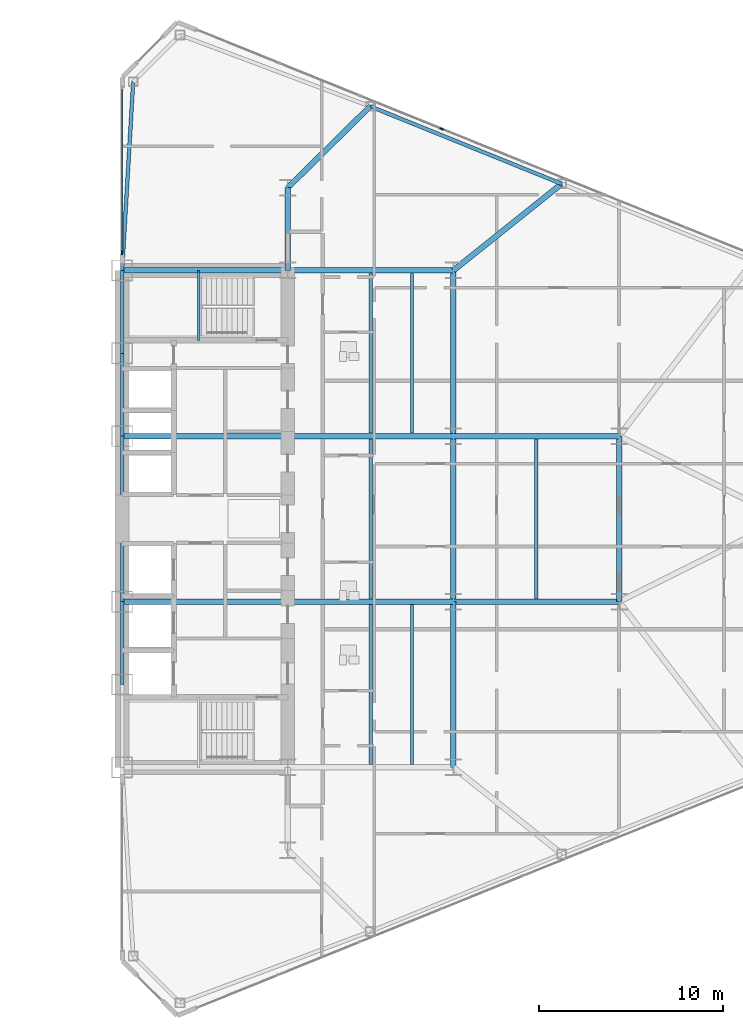
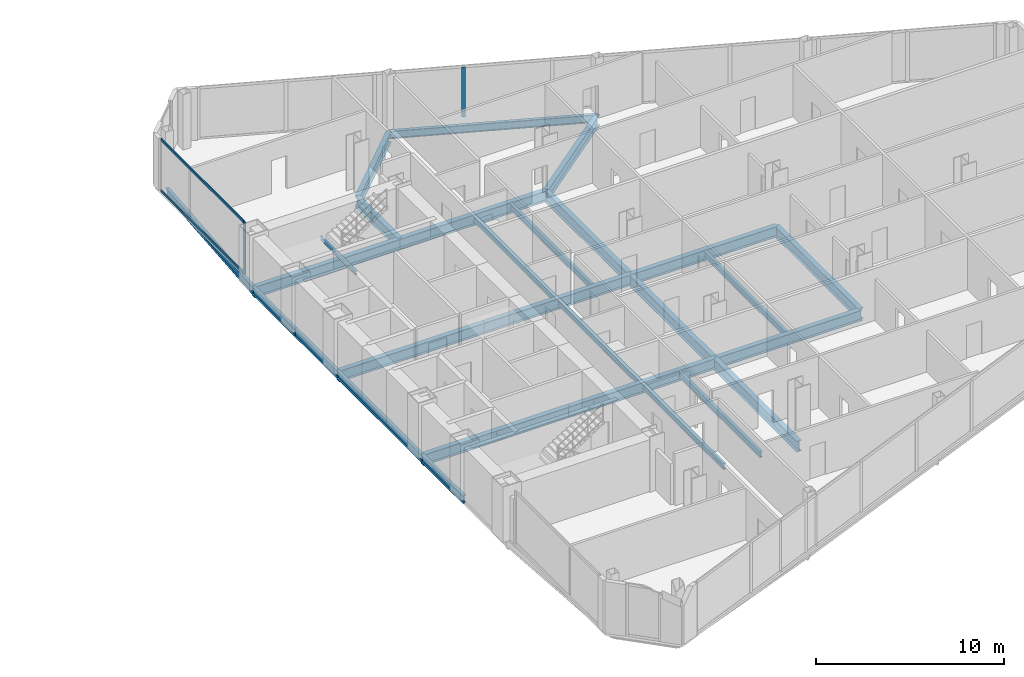
# One storey, part 11 of 25: 28 beams, 4 members, 2 elements without a shape of their own.
"""IFC4 building model written with IfcOpenShell, lengths in metres."""

from ifc_helpers import new_model, si_unit, direction, frame, origin, origin_2d, place, context, subcontext, project, spatial, rectangle, i_section, extrude, source, transform, mapped, material, layer, layer_set, material_profile, profile_set, type_object, type_shapes, element, aggregate, save


model = new_model("IFC4")

# Units and contexts
model_context = context("Model", 3, precision=1e-05, world=origin(), true_north=direction((0.0, 1.0)))
body_context = subcontext(model_context, "Body", "Model", "MODEL_VIEW")
ifc_project = project(units=[si_unit("LENGTHUNIT", "METRE"), si_unit("AREAUNIT", "SQUARE_METRE"), si_unit("VOLUMEUNIT", "CUBIC_METRE"), si_unit("PLANEANGLEUNIT", "RADIAN"), si_unit("MASSUNIT", "GRAM", prefix="KILO")], contexts=[model_context])

# Site, building, storey
site_placement = place(None, origin())
site = spatial("IfcSite", under=ifc_project, at=site_placement, CompositionType="ELEMENT")
building_placement = place(site_placement, origin())
building = spatial("IfcBuilding", under=site, at=building_placement, Name="Seokmaru Belvedere", CompositionType="ELEMENT")
storey_placement = place(building_placement, frame((0.0, 0.0, 29.699951171875)))
storey = spatial("IfcBuildingStorey", under=building, at=storey_placement, Name="L07", CompositionType="ELEMENT", Elevation=29.699951171875)

# Beams
ifc_material_1 = material(Name="Steel SM355 (355 MPa)", Category="steel")
ifc_material_profile_1 = material_profile(ifc_material_1, i_section(OverallWidth=0.199951171875, OverallDepth=0.5, WebThickness=0.010009765625, FlangeThickness=0.01611328125, at=origin_2d()), Name="H-500x200x10x16")
ifc_profile_set_1 = profile_set([ifc_material_profile_1], Name="Steel SM355 (355 MPa)")
beam_type_1 = type_object("IfcBeamType", Name="Perimeter Spandrel Beam H-500", PredefinedType="SPANDREL", material=ifc_profile_set_1)
shared_shape_1 = source(origin(), body_context, "Body", "SweptSolid", [
    extrude(i_section(OverallWidth=0.199951171875, OverallDepth=0.5, WebThickness=0.010009765625, FlangeThickness=0.01611328125, at=origin_2d()), origin(), (0.0, 0.0, 1.0), 4.5),
])
for number, where, z_axis, x_axis, name in (
    (1, (27.5, -9.0, -0.469970703125), (0.0, 1.0, 0.0), (-1.0, 0.0, 0.0), "L07 E Portal Spine Spandrel 2"),
    (2, (27.5, 4.5, -0.469970703125), (0.0, 1.0, 0.0), (-1.0, 0.0, 0.0), "L07 E Portal Spine Spandrel 4"),
    (3, (27.5, 9.0, -0.469970703125), (0.0, 1.0, 0.0), (-1.0, 0.0, 0.0), "L07 E Portal Spine Spandrel 5"),
):
    element("IfcBeam", number, at=place(storey_placement, frame(where, z_axis=z_axis, x_axis=x_axis)), inside=storey, type_object=beam_type_1, Name=name, PredefinedType="SPANDREL", context=body_context, shape_type="MappedRepresentation", body=[
        mapped(shared_shape_1, transform((0.0, 0.0, 0.0), scale=1.0)),
    ])
shared_shape_2 = source(origin(), body_context, "Body", "SweptSolid", [
    extrude(i_section(OverallWidth=0.199951171875, OverallDepth=0.5, WebThickness=0.010009765625, FlangeThickness=0.01611328125, at=origin_2d()), origin(), (0.0, 0.0, 1.0), 9.0),
])
beam_1_placement = place(storey_placement, frame((27.5, -4.5, -0.469970703125), z_axis=(0.0, 1.0, 0.0), x_axis=(-1.0, 0.0, 0.0)))
element("IfcBeam", 4, at=beam_1_placement, inside=storey, type_object=beam_type_1, Name="L07 E Portal Spine Spandrel 3", PredefinedType="SPANDREL", context=body_context, shape_type="MappedRepresentation", body=[
    mapped(shared_shape_2, transform((0.0, 0.0, 0.0), scale=1.0)),
])
ifc_material_profile_2 = material_profile(ifc_material_1, i_section(OverallWidth=0.300048828125, OverallDepth=0.699951171875, WebThickness=0.012939453125, FlangeThickness=0.02392578125, at=origin_2d()), Name="H-700x300x13x24")
ifc_profile_set_2 = profile_set([ifc_material_profile_2], Name="Steel SM355 (355 MPa)")
beam_type_2 = type_object("IfcBeamType", Name="Primary Floor Girder H-700", PredefinedType="BEAM", material=ifc_profile_set_2)
shared_shape_3 = source(origin(), body_context, "Body", "SweptSolid", [
    extrude(i_section(OverallWidth=0.300048828125, OverallDepth=0.699951171875, WebThickness=0.012939453125, FlangeThickness=0.02392578125, at=origin_2d()), origin(), (0.0, 0.0, 1.0), 4.5),
])
beam_2_placement = place(storey_placement, frame((36.5, 13.5, -0.570068359375), z_axis=(0.0, 1.0, 0.0), x_axis=(-1.0, 0.0, 0.0)))
element("IfcBeam", 5, at=beam_2_placement, inside=storey, type_object=beam_type_2, Name="L07 E Core Shoulder Girder N", PredefinedType="BEAM", context=body_context, shape_type="MappedRepresentation", body=[
    mapped(shared_shape_3, transform((0.0, 0.0, 0.0), scale=1.0)),
])
shared_shape_4 = source(origin(), body_context, "Body", "SweptSolid", [
    extrude(i_section(OverallWidth=0.300048828125, OverallDepth=0.699951171875, WebThickness=0.012939453125, FlangeThickness=0.02392578125, at=origin_2d()), origin(), (0.0, 0.0, 1.0), 9.0),
])
for number, where, z_axis, x_axis, name in (
    (6, (45.5, -13.5, -0.570068359375), (0.0, 1.0, 0.0), (-1.0, 0.0, 0.0), "L07 E Interior Grid Girder 1"),
    (7, (45.5, -4.5, -0.570068359375), (0.0, 1.0, 0.0), (-1.0, 0.0, 0.0), "L07 E Interior Grid Girder 2"),
    (8, (45.5, 4.5, -0.570068359375), (0.0, 1.0, 0.0), (-1.0, 0.0, 0.0), "L07 E Interior Grid Girder 3"),
    (9, (27.5, -4.5, -0.570068359375), (1.0, 0.0, 0.0), (0.0, 1.0, 0.0), "L07 E Core Tie Girder 2"),
    (10, (36.5, -4.5, -0.570068359375), (1.0, 0.0, 0.0), (0.0, 1.0, 0.0), "L07 E Wing Primary Girder 2"),
    (11, (27.5, 4.5, -0.570068359375), (1.0, 0.0, 0.0), (0.0, 1.0, 0.0), "L07 E Core Tie Girder 3"),
    (12, (36.5, 4.5, -0.570068359375), (1.0, 0.0, 0.0), (0.0, 1.0, 0.0), "L07 E Wing Primary Girder 3"),
    (13, (27.5, 13.5, -0.570068359375), (1.0, 0.0, 0.0), (0.0, 1.0, 0.0), "L07 E Core Tie Girder 4"),
    (14, (36.5, 13.5, -0.570068359375), (1.0, 0.0, 0.0), (0.0, 1.0, 0.0), "L07 E Wing Primary Girder 4"),
    (15, (45.5, -4.5, -0.570068359375), (1.0, 0.0, 0.0), (0.0, 1.0, 0.0), "L07 E Outer Wing Girder 1"),
    (16, (45.5, 4.5, -0.570068359375), (1.0, 0.0, 0.0), (0.0, 1.0, 0.0), "L07 E Outer Wing Girder 2"),
    (17, (54.5, -4.5, -0.570068359375), (0.0, 1.0, 0.0), (-1.0, 0.0, 0.0), "L07 E Apex Frame Girder"),
):
    element("IfcBeam", number, at=place(storey_placement, frame(where, z_axis=z_axis, x_axis=x_axis)), inside=storey, type_object=beam_type_2, Name=name, PredefinedType="BEAM", context=body_context, shape_type="MappedRepresentation", body=[
        mapped(shared_shape_4, transform((0.0, 0.0, 0.0), scale=1.0)),
    ])
ifc_material_profile_3 = material_profile(ifc_material_1, i_section(OverallWidth=0.18505859375, OverallDepth=0.389892578125, WebThickness=0.008056640625, FlangeThickness=0.011962890625, at=origin_2d()), Name="H-390x185x8x12")
ifc_profile_set_3 = profile_set([ifc_material_profile_3], Name="Steel SM355 (355 MPa)")
beam_type_3 = type_object("IfcBeamType", Name="Secondary Floor Joist H-350", PredefinedType="JOIST", material=ifc_profile_set_3)
shared_shape_5 = source(origin(), body_context, "Body", "SweptSolid", [
    extrude(i_section(OverallWidth=0.18505859375, OverallDepth=0.389892578125, WebThickness=0.008056640625, FlangeThickness=0.011962890625, at=origin_2d()), origin(), (0.0, 0.0, 1.0), 8.68994140625),
])
type_shapes(beam_type_3, [shared_shape_5])
for number, where, z_axis, x_axis, name in (
    (18, (43.25, -13.344970703125, -0.4150390625), (0.0, 1.0, 0.0), (-1.0, 0.0, 0.0), "L07 E Wing Inner Secondary Joist 1"),
    (19, (43.25, 4.655029296875, -0.4150390625), (0.0, 1.0, 0.0), (-1.0, 0.0, 0.0), "L07 E Wing Inner Secondary Joist 2"),
    (20, (41.0, -13.344970703125, -0.4150390625), (0.0, 1.0, 0.0), (-1.0, 0.0, 0.0), "L07 E Secondary Floor Joist 1"),
    (21, (41.0, -4.344970703125, -0.4150390625), (0.0, 1.0, 0.0), (-1.0, 0.0, 0.0), "L07 E Secondary Floor Joist 2"),
    (22, (41.0, 4.655029296875, -0.4150390625), (0.0, 1.0, 0.0), (-1.0, 0.0, 0.0), "L07 E Secondary Floor Joist 3"),
    (23, (50.0, -4.344970703125, -0.4150390625), (0.0, 1.0, 0.0), (-1.0, 0.0, 0.0), "L07 E Outer Bay Secondary Joist"),
):
    element("IfcBeam", number, at=place(storey_placement, frame(where, z_axis=z_axis, x_axis=x_axis)), inside=storey, type_object=beam_type_3, Name=name, PredefinedType="JOIST", context=body_context, shape_type="MappedRepresentation", body=[
        mapped(shared_shape_5, transform((0.0, 0.0, 0.0), scale=1.0)),
    ])
shared_shape_6 = source(origin(), body_context, "Body", "SweptSolid", [
    extrude(i_section(OverallWidth=0.199951171875, OverallDepth=0.5, WebThickness=0.010009765625, FlangeThickness=0.01611328125, at=origin_2d()), origin(), (0.0, 0.0, 1.0), 11.220703125),
])
beam_3_placement = place(storey_placement, frame((40.977294921875, 22.4140625, -0.469970703125), z_axis=(0.926944290816, -0.375198989503, 0.0), x_axis=(0.375198989503, 0.926944290816, 0.0)))
element("IfcBeam", 24, at=beam_3_placement, inside=storey, type_object=beam_type_1, Name="L07 E Faceted Flank Spandrel N-2", PredefinedType="SPANDREL", context=body_context, shape_type="MappedRepresentation", body=[
    mapped(shared_shape_6, transform((0.0, 0.0, 0.0), scale=1.0)),
])
shared_shape_7 = source(origin(), body_context, "Body", "SweptSolid", [
    extrude(i_section(OverallWidth=0.199951171875, OverallDepth=0.5, WebThickness=0.010009765625, FlangeThickness=0.01611328125, at=origin_2d()), origin(), (0.0, 0.0, 1.0), 10.26904296875),
])
type_shapes(beam_type_1, [shared_shape_1, shared_shape_2, shared_shape_6, shared_shape_7])
beam_4_placement = place(storey_placement, frame((28.10009765625, 23.75146484375, -0.469970703125), z_axis=(-0.058437709399, -0.998291056817, 0.0), x_axis=(0.998291056817, -0.058437709399, 0.0)))
element("IfcBeam", 25, at=beam_4_placement, inside=storey, type_object=beam_type_1, Name="L07 E Shoulder Spine Spandrel N", PredefinedType="SPANDREL", context=body_context, shape_type="MappedRepresentation", body=[
    mapped(shared_shape_7, transform((0.0, 0.0, 0.0), scale=1.0)),
])
shared_shape_8 = source(origin(), body_context, "Body", "SweptSolid", [
    extrude(i_section(OverallWidth=0.300048828125, OverallDepth=0.699951171875, WebThickness=0.012939453125, FlangeThickness=0.02392578125, at=origin_2d()), origin(), (0.0, 0.0, 1.0), 6.287353515625),
])
beam_5_placement = place(storey_placement, frame((40.977294921875, 22.4140625, -0.570068359375), z_axis=(-0.712117485263, -0.702060315915, 0.0), x_axis=(0.702060315915, -0.712117485263, 0.0)))
element("IfcBeam", 26, at=beam_5_placement, inside=storey, type_object=beam_type_2, Name="L07 E Flank Radial Floor Girder N-1", PredefinedType="BEAM", context=body_context, shape_type="MappedRepresentation", body=[
    mapped(shared_shape_8, transform((0.0, 0.0, 0.0), scale=1.0)),
])
shared_shape_9 = source(origin(), body_context, "Body", "SweptSolid", [
    extrude(i_section(OverallWidth=0.300048828125, OverallDepth=0.699951171875, WebThickness=0.012939453125, FlangeThickness=0.02392578125, at=origin_2d()), origin(), (0.0, 0.0, 1.0), 7.52880859375),
])
type_shapes(beam_type_2, [shared_shape_3, shared_shape_4, shared_shape_8, shared_shape_9])
beam_6_placement = place(storey_placement, frame((51.378173828125, 18.2041015625, -0.570068359375), z_axis=(-0.780767560736, -0.624821587418, 0.0), x_axis=(0.624821587418, -0.780767560736, 0.0)))
element("IfcBeam", 27, at=beam_6_placement, inside=storey, type_object=beam_type_2, Name="L07 E Flank Radial Floor Girder N-2", PredefinedType="BEAM", context=body_context, shape_type="MappedRepresentation", body=[
    mapped(shared_shape_9, transform((0.0, 0.0, 0.0), scale=1.0)),
])

# Curtain wall, members
ifc_material_2 = material(Name="Bronze Triple Insulating Glass", Category="glass")
ifc_layer = layer(ifc_material_2, 0.2099609375)
ifc_layer_set = layer_set([ifc_layer], Name="Bronze Triple Insulating Glass")
curtain_wall_type = type_object("IfcCurtainWallType", Name="Low-Rise Faceted Crystal Curtain Wall System CW-2", PredefinedType="NOTDEFINED", material=ifc_layer_set)
curtain_wall_1_placement = place(storey_placement, origin())
curtain_wall_1 = element("IfcCurtainWall", 28, at=curtain_wall_1_placement, inside=storey, type_object=curtain_wall_type, Name="L07 Curtain Wall ESP_2", PredefinedType="NOTDEFINED")
ifc_material_3 = material(Name="Anodised Bronze Aluminium", Category="aluminium")
ifc_material_profile_4 = material_profile(ifc_material_3, rectangle(XDim=0.074951171875, YDim=0.2099609375, at=origin_2d()), Name="CW-M-75x210")
ifc_profile_set_4 = profile_set([ifc_material_profile_4], Name="Anodised Bronze Aluminium")
member_type_1 = type_object("IfcMemberType", Name="Bronze Unitised Mullion 75x210", PredefinedType="MULLION", material=ifc_profile_set_4)
shared_shape_10 = source(origin(), body_context, "Body", "SweptSolid", [
    extrude(rectangle(XDim=0.074951171875, YDim=0.2099609375, at=origin_2d()), origin(), (0.0, 0.0, 1.0), 3.380126953125),
])
member_1_placement = place(storey_placement, frame((27.5, 14.467529296875, 0.0), z_axis=(0.0, 0.0, 1.0), x_axis=(1.0, 0.0, 0.0)))
member_1 = element("IfcMember", 29, at=member_1_placement, type_object=member_type_1, Name="CW:L07:ESP_2 Mullion 2", PredefinedType="MULLION", context=body_context, shape_type="MappedRepresentation", body=[
    mapped(shared_shape_10, transform((0.0, 0.0, 0.0), scale=1.0)),
])
ifc_material_profile_5 = material_profile(ifc_material_3, rectangle(XDim=0.070068359375, YDim=0.1650390625, at=origin_2d()), Name="CW-T-70x165")
ifc_profile_set_5 = profile_set([ifc_material_profile_5], Name="Anodised Bronze Aluminium")
member_type_2 = type_object("IfcMemberType", Name="Bronze Unitised Transom 70x165", PredefinedType="USERDEFINED", material=ifc_profile_set_5)
shared_shape_11 = source(origin(), body_context, "Body", "SweptSolid", [
    extrude(rectangle(XDim=0.070068359375, YDim=0.1650390625, at=origin_2d()), origin(), (0.0, 0.0, 1.0), 8.85009765625),
])
type_shapes(member_type_2, [shared_shape_11])
member_2_placement = place(storey_placement, frame((27.5, 23.35498046875, 0.03515625), z_axis=(0.0, -1.0, 0.0), x_axis=(1.0, 0.0, 0.0)))
member_2 = element("IfcMember", 30, at=member_2_placement, type_object=member_type_2, Name="CW:L07:ESP_2 Continuous Transom 1", ObjectType="TRANSOM", PredefinedType="USERDEFINED", context=body_context, shape_type="MappedRepresentation", body=[
    mapped(shared_shape_11, transform((0.0, 0.0, 0.0), scale=1.0)),
])
member_3_placement = place(storey_placement, frame((27.5, 23.35498046875, 3.344970703125), z_axis=(0.0, -1.0, 0.0), x_axis=(1.0, 0.0, 0.0)))
member_3 = element("IfcMember", 31, at=member_3_placement, type_object=member_type_2, Name="CW:L07:ESP_2 Continuous Transom 2", ObjectType="TRANSOM", PredefinedType="USERDEFINED", context=body_context, shape_type="MappedRepresentation", body=[
    mapped(shared_shape_11, transform((0.0, 0.0, 0.0), scale=1.0)),
])
aggregate(curtain_wall_1, [member_1, member_2, member_3])

# Curtain wall, member
curtain_wall_2_placement = place(storey_placement, origin())
curtain_wall_2 = element("IfcCurtainWall", 32, at=curtain_wall_2_placement, inside=storey, type_object=curtain_wall_type, Name="L07 Curtain Wall EF3", PredefinedType="NOTDEFINED")
shared_shape_12 = source(origin(), body_context, "Body", "SweptSolid", [
    extrude(rectangle(XDim=0.074951171875, YDim=0.2099609375, at=origin_2d()), origin(), (0.0, 0.0, 1.0), 3.239990234375),
])
type_shapes(member_type_1, [shared_shape_10, shared_shape_12])
member_4_placement = place(storey_placement, frame((44.855224609375, 21.189453125, 0.070068359375), z_axis=(0.0, 0.0, 1.0), x_axis=(-0.375192321888, -0.926946989637, 0.0)))
member_4 = element("IfcMember", 33, at=member_4_placement, type_object=member_type_1, Name="CW:L07:EF3 Mullion 7", PredefinedType="MULLION", context=body_context, shape_type="MappedRepresentation", body=[
    mapped(shared_shape_12, transform((0.0, 0.0, 0.0), scale=1.0)),
])
aggregate(curtain_wall_2, [member_4])

# Beam
ifc_material_profile_6 = material_profile(ifc_material_1, i_section(OverallWidth=0.125, OverallDepth=0.25, WebThickness=0.006103515625, FlangeThickness=0.009033203125, at=origin_2d()), Name="H-250x125x6x9")
ifc_profile_set_6 = profile_set([ifc_material_profile_6], Name="Steel SM355 (355 MPa)")
beam_type_4 = type_object("IfcBeamType", Name="Stair Mid-Landing Support Beam H-250", PredefinedType="JOIST", material=ifc_profile_set_6)
shared_shape_13 = source(origin(), body_context, "Body", "SweptSolid", [
    extrude(i_section(OverallWidth=0.125, OverallDepth=0.25, WebThickness=0.006103515625, FlangeThickness=0.009033203125, at=origin_2d()), origin(), (0.0, 0.0, 1.0), 3.800048828125),
])
type_shapes(beam_type_4, [shared_shape_13])
beam_7_placement = place(storey_placement, frame((31.64990234375, 9.699951171875, 1.47509765625), z_axis=(0.0, 1.0, 0.0), x_axis=(-1.0, 0.0, 0.0)))
element("IfcBeam", 34, at=beam_7_placement, inside=storey, type_object=beam_type_4, Name="L07 Stair ST-E2 Mid-Landing Support Beam 1", PredefinedType="JOIST", context=body_context, shape_type="MappedRepresentation", body=[
    mapped(shared_shape_13, transform((0.0, 0.0, 0.0), scale=1.0)),
])

save(model, "model.ifc")
